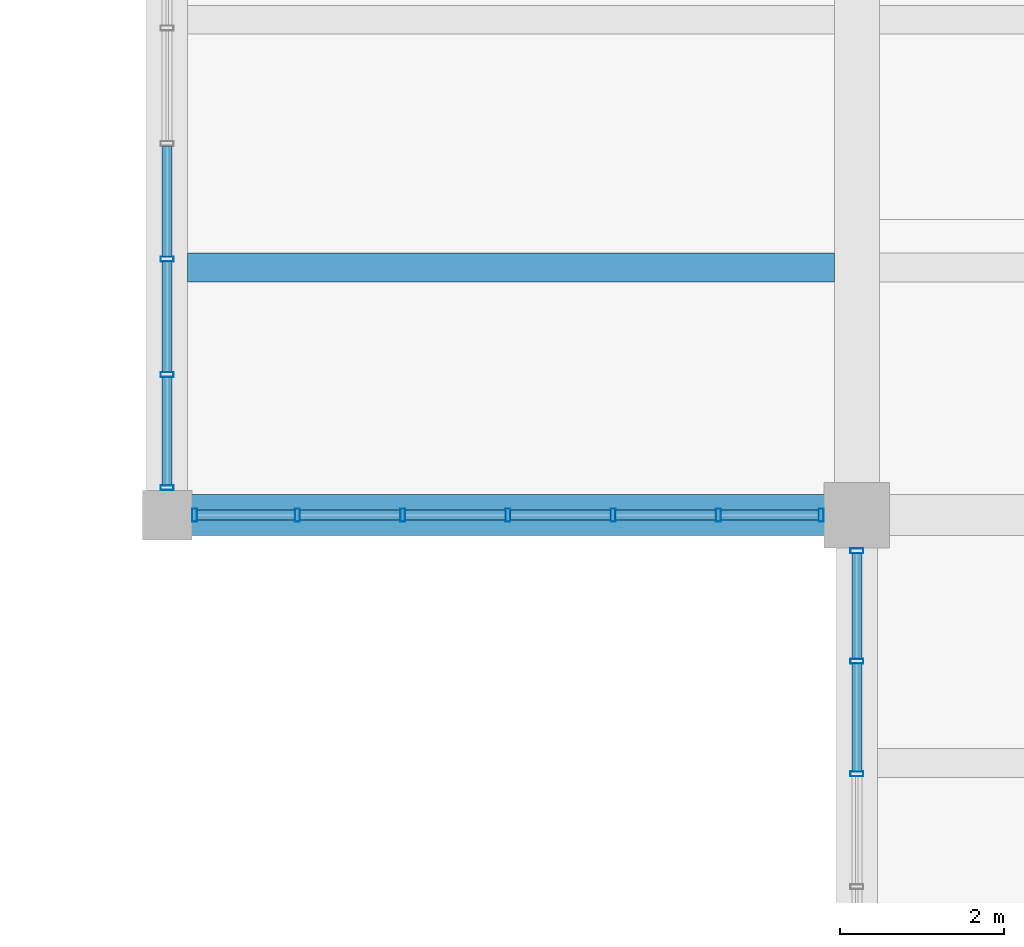
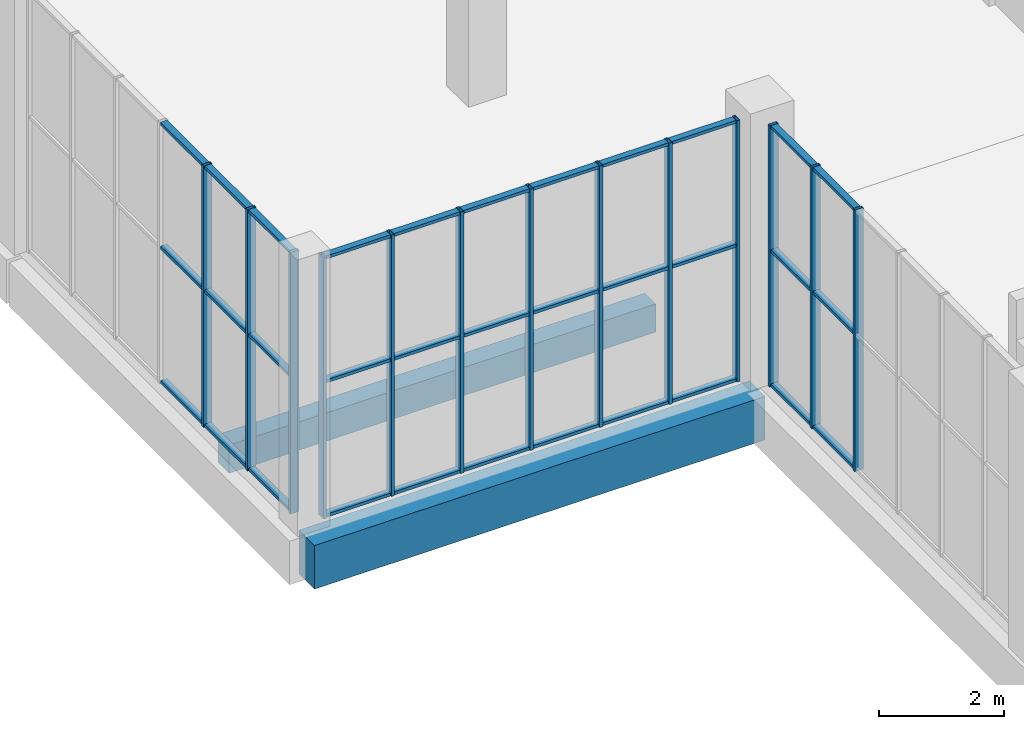
# One storey, part 5 of 132: 46 members, 2 beams, 3 elements without a shape of their own.
"""IFC4 building model written with IfcOpenShell, lengths in metres."""

from ifc_helpers import new_model, si_unit, direction, frame, origin, origin_2d, place, context, subcontext, project, spatial, rectangle, hollow_rectangle, extrude, material, material_profile, profile_set, type_object, element, aggregate, save


model = new_model("IFC4")

# Units and contexts
model_context = context("Model", 3, precision=1e-05, world=origin(), true_north=direction((0.0, 1.0)))
body_context = subcontext(model_context, "Body", "Model", "MODEL_VIEW")
ifc_project = project(units=[si_unit("LENGTHUNIT", "METRE"), si_unit("AREAUNIT", "SQUARE_METRE"), si_unit("VOLUMEUNIT", "CUBIC_METRE"), si_unit("PLANEANGLEUNIT", "RADIAN"), si_unit("MASSUNIT", "GRAM", prefix="KILO")], contexts=[model_context])

# Site, building, storey
site_placement = place(None, origin())
site = spatial("IfcSite", under=ifc_project, at=site_placement, CompositionType="ELEMENT")
building_placement = place(site_placement, origin())
building = spatial("IfcBuilding", under=site, at=building_placement, Name="Khurvash Pelagic Aquarium", CompositionType="ELEMENT")
storey_placement = place(building_placement, frame((0.0, 0.0, 5.39990234375)))
storey = spatial("IfcBuildingStorey", under=building, at=storey_placement, Name="L01", CompositionType="ELEMENT", Elevation=5.39990234375)

# Curtain wall, members
ifc_material_1 = material(Name="Anodised aluminium and low-E laminated glass", Category="aluminium")
curtain_wall_type_1 = type_object("IfcCurtainWallType", Name="CW-06", PredefinedType="USERDEFINED", material=ifc_material_1)
curtain_wall_1_placement = place(storey_placement, origin())
curtain_wall_1 = element("IfcCurtainWall", 1, at=curtain_wall_1_placement, inside=storey, type_object=curtain_wall_type_1, Name="L01 Facade Unitised Curtain Wall CW-06 0100", ObjectType="UNITISED CURTAIN WALL", PredefinedType="USERDEFINED")
ifc_material_2 = material(Name="Extruded aluminium AW-6063-T6", Category="aluminium")
ifc_material_profile_1 = material_profile(ifc_material_2, hollow_rectangle(XDim=0.06005859375, YDim=0.159912109375, WallThickness=0.00390625, at=origin_2d()), Name="CWM60X160X4")
ifc_profile_set_1 = profile_set([ifc_material_profile_1], Name="Extruded aluminium AW-6063-T6")
member_type_1 = type_object("IfcMemberType", Name="CM-02", PredefinedType="MULLION", material=ifc_profile_set_1)
member_1_placement = place(storey_placement, frame((25.199951171875, 29.31494140625, 0.0), z_axis=(0.0, 0.0, 1.0), x_axis=(0.0, -1.0, 0.0)))
member_1 = element("IfcMember", 2, at=member_1_placement, type_object=member_type_1, Name="CW-06 mullion 1", PredefinedType="MULLION", context=body_context, shape_type="SweptSolid", body=[
    extrude(hollow_rectangle(XDim=0.06005859375, YDim=0.159912109375, WallThickness=0.00390625, at=origin_2d()), origin(), (0.0, 0.0, 1.0), 5.10009765625),
])
member_2_placement = place(storey_placement, frame((25.199951171875, 27.9716796875, 0.0), z_axis=(0.0, 0.0, 1.0), x_axis=(0.0, -1.0, 0.0)))
member_2 = element("IfcMember", 3, at=member_2_placement, type_object=member_type_1, Name="CW-06 mullion 2", PredefinedType="MULLION", context=body_context, shape_type="SweptSolid", body=[
    extrude(hollow_rectangle(XDim=0.06005859375, YDim=0.159912109375, WallThickness=0.00390625, at=origin_2d()), origin(), (0.0, 0.0, 1.0), 5.10009765625),
])
member_3_placement = place(storey_placement, frame((25.199951171875, 26.598388671875, 0.0), z_axis=(0.0, 0.0, 1.0), x_axis=(0.0, -1.0, 0.0)))
member_3 = element("IfcMember", 4, at=member_3_placement, type_object=member_type_1, Name="CW-06 mullion 3", PredefinedType="MULLION", context=body_context, shape_type="SweptSolid", body=[
    extrude(hollow_rectangle(XDim=0.06005859375, YDim=0.159912109375, WallThickness=0.00390625, at=origin_2d()), origin(), (0.0, 0.0, 1.0), 5.10009765625),
])

curtain_wall_2_placement = place(storey_placement, origin())
curtain_wall_2 = element("IfcCurtainWall", 5, at=curtain_wall_2_placement, inside=storey, type_object=curtain_wall_type_1, Name="L01 Facade Unitised Curtain Wall CW-06 0129", ObjectType="UNITISED CURTAIN WALL", PredefinedType="USERDEFINED")
member_4_placement = place(storey_placement, frame((16.800048828125, 32.868408203125, 0.0), z_axis=(0.0, 0.0, 1.0), x_axis=(0.0, -1.0, 0.0)))
member_4 = element("IfcMember", 6, at=member_4_placement, type_object=member_type_1, Name="CW-06 mullion 5", PredefinedType="MULLION", context=body_context, shape_type="SweptSolid", body=[
    extrude(hollow_rectangle(XDim=0.06005859375, YDim=0.159912109375, WallThickness=0.00390625, at=origin_2d()), origin(), (0.0, 0.0, 1.0), 5.10009765625),
])
member_5_placement = place(storey_placement, frame((16.800048828125, 31.461669921875, 0.0), z_axis=(0.0, 0.0, 1.0), x_axis=(0.0, -1.0, 0.0)))
member_5 = element("IfcMember", 7, at=member_5_placement, type_object=member_type_1, Name="CW-06 mullion 6", PredefinedType="MULLION", context=body_context, shape_type="SweptSolid", body=[
    extrude(hollow_rectangle(XDim=0.06005859375, YDim=0.159912109375, WallThickness=0.00390625, at=origin_2d()), origin(), (0.0, 0.0, 1.0), 5.10009765625),
])
member_6_placement = place(storey_placement, frame((16.800048828125, 30.0849609375, 0.0), z_axis=(0.0, 0.0, 1.0), x_axis=(0.0, -1.0, 0.0)))
member_6 = element("IfcMember", 8, at=member_6_placement, type_object=member_type_1, Name="CW-06 mullion 7", PredefinedType="MULLION", context=body_context, shape_type="SweptSolid", body=[
    extrude(hollow_rectangle(XDim=0.06005859375, YDim=0.159912109375, WallThickness=0.00390625, at=origin_2d()), origin(), (0.0, 0.0, 1.0), 5.10009765625),
])

curtain_wall_type_2 = type_object("IfcCurtainWallType", Name="CW-05", PredefinedType="USERDEFINED", material=ifc_material_1)
curtain_wall_3_placement = place(storey_placement, origin())
curtain_wall_3 = element("IfcCurtainWall", 9, at=curtain_wall_3_placement, inside=storey, type_object=curtain_wall_type_2, Name="L01 Facade Unitised Curtain Wall CW-05 0130", ObjectType="UNITISED CURTAIN WALL", PredefinedType="USERDEFINED")
member_7_placement = place(storey_placement, frame((17.135009765625, 29.75, 0.0), z_axis=(0.0, 0.0, 1.0), x_axis=(1.0, 0.0, 0.0)))
member_7 = element("IfcMember", 10, at=member_7_placement, type_object=member_type_1, Name="CW-05 mullion 1", PredefinedType="MULLION", context=body_context, shape_type="SweptSolid", body=[
    extrude(hollow_rectangle(XDim=0.06005859375, YDim=0.159912109375, WallThickness=0.00390625, at=origin_2d()), origin(), (0.0, 0.0, 1.0), 5.10009765625),
])
member_8_placement = place(storey_placement, frame((18.38671875, 29.75, 0.0), z_axis=(0.0, 0.0, 1.0), x_axis=(1.0, 0.0, 0.0)))
member_8 = element("IfcMember", 11, at=member_8_placement, type_object=member_type_1, Name="CW-05 mullion 2", PredefinedType="MULLION", context=body_context, shape_type="SweptSolid", body=[
    extrude(hollow_rectangle(XDim=0.06005859375, YDim=0.159912109375, WallThickness=0.00390625, at=origin_2d()), origin(), (0.0, 0.0, 1.0), 5.10009765625),
])
member_9_placement = place(storey_placement, frame((19.668212890625, 29.75, 0.0), z_axis=(0.0, 0.0, 1.0), x_axis=(1.0, 0.0, 0.0)))
member_9 = element("IfcMember", 12, at=member_9_placement, type_object=member_type_1, Name="CW-05 mullion 3", PredefinedType="MULLION", context=body_context, shape_type="SweptSolid", body=[
    extrude(hollow_rectangle(XDim=0.06005859375, YDim=0.159912109375, WallThickness=0.00390625, at=origin_2d()), origin(), (0.0, 0.0, 1.0), 5.10009765625),
])
member_10_placement = place(storey_placement, frame((20.949951171875, 29.75, 0.0), z_axis=(0.0, 0.0, 1.0), x_axis=(1.0, 0.0, 0.0)))
member_10 = element("IfcMember", 13, at=member_10_placement, type_object=member_type_1, Name="CW-05 mullion 4", PredefinedType="MULLION", context=body_context, shape_type="SweptSolid", body=[
    extrude(hollow_rectangle(XDim=0.06005859375, YDim=0.159912109375, WallThickness=0.00390625, at=origin_2d()), origin(), (0.0, 0.0, 1.0), 5.10009765625),
])
member_11_placement = place(storey_placement, frame((22.231689453125, 29.75, 0.0), z_axis=(0.0, 0.0, 1.0), x_axis=(1.0, 0.0, 0.0)))
member_11 = element("IfcMember", 14, at=member_11_placement, type_object=member_type_1, Name="CW-05 mullion 5", PredefinedType="MULLION", context=body_context, shape_type="SweptSolid", body=[
    extrude(hollow_rectangle(XDim=0.06005859375, YDim=0.159912109375, WallThickness=0.00390625, at=origin_2d()), origin(), (0.0, 0.0, 1.0), 5.10009765625),
])
member_12_placement = place(storey_placement, frame((23.513427734375, 29.75, 0.0), z_axis=(0.0, 0.0, 1.0), x_axis=(1.0, 0.0, 0.0)))
member_12 = element("IfcMember", 15, at=member_12_placement, type_object=member_type_1, Name="CW-05 mullion 6", PredefinedType="MULLION", context=body_context, shape_type="SweptSolid", body=[
    extrude(hollow_rectangle(XDim=0.06005859375, YDim=0.159912109375, WallThickness=0.00390625, at=origin_2d()), origin(), (0.0, 0.0, 1.0), 5.10009765625),
])
member_13_placement = place(storey_placement, frame((24.764892578125, 29.75, 0.0), z_axis=(0.0, 0.0, 1.0), x_axis=(1.0, 0.0, 0.0)))
member_13 = element("IfcMember", 16, at=member_13_placement, type_object=member_type_1, Name="CW-05 mullion 7", PredefinedType="MULLION", context=body_context, shape_type="SweptSolid", body=[
    extrude(hollow_rectangle(XDim=0.06005859375, YDim=0.159912109375, WallThickness=0.00390625, at=origin_2d()), origin(), (0.0, 0.0, 1.0), 5.10009765625),
])

# Member
ifc_material_profile_2 = material_profile(ifc_material_2, hollow_rectangle(XDim=0.1201171875, YDim=0.06005859375, WallThickness=0.00390625, at=origin_2d()), Name="CWT120X60X4")
ifc_profile_set_2 = profile_set([ifc_material_profile_2], Name="Extruded aluminium AW-6063-T6")
member_type_2 = type_object("IfcMemberType", Name="CT-02", PredefinedType="USERDEFINED", material=ifc_profile_set_2)
member_14_placement = place(storey_placement, frame((25.199951171875, 29.284912109375, 0.030029296875), z_axis=(0.0, -1.0, 0.0), x_axis=(1.0, 0.0, 0.0)))
member_14 = element("IfcMember", 17, at=member_14_placement, type_object=member_type_2, Name="CW-06 transom 1.1", ObjectType="TRANSOM", PredefinedType="USERDEFINED", context=body_context, shape_type="SweptSolid", body=[
    extrude(hollow_rectangle(XDim=0.1201171875, YDim=0.06005859375, WallThickness=0.00390625, at=origin_2d()), origin(), (0.0, 0.0, 1.0), 1.283203125),
])

member_15_placement = place(storey_placement, frame((25.199951171875, 29.284912109375, 2.652099609375), z_axis=(0.0, -1.0, 0.0), x_axis=(1.0, 0.0, 0.0)))
member_15 = element("IfcMember", 18, at=member_15_placement, type_object=member_type_2, Name="CW-06 transom 1.2", ObjectType="TRANSOM", PredefinedType="USERDEFINED", context=body_context, shape_type="SweptSolid", body=[
    extrude(hollow_rectangle(XDim=0.1201171875, YDim=0.06005859375, WallThickness=0.00390625, at=origin_2d()), origin(), (0.0, 0.0, 1.0), 1.283203125),
])

member_16_placement = place(storey_placement, frame((25.199951171875, 29.284912109375, 5.070068359375), z_axis=(0.0, -1.0, 0.0), x_axis=(1.0, 0.0, 0.0)))
member_16 = element("IfcMember", 19, at=member_16_placement, type_object=member_type_2, Name="CW-06 transom 1.3", ObjectType="TRANSOM", PredefinedType="USERDEFINED", context=body_context, shape_type="SweptSolid", body=[
    extrude(hollow_rectangle(XDim=0.1201171875, YDim=0.06005859375, WallThickness=0.00390625, at=origin_2d()), origin(), (0.0, 0.0, 1.0), 1.283203125),
])

member_17_placement = place(storey_placement, frame((25.199951171875, 27.941650390625, 0.030029296875), z_axis=(0.0, -1.0, 0.0), x_axis=(1.0, 0.0, 0.0)))
member_17 = element("IfcMember", 20, at=member_17_placement, type_object=member_type_2, Name="CW-06 transom 2.1", ObjectType="TRANSOM", PredefinedType="USERDEFINED", context=body_context, shape_type="SweptSolid", body=[
    extrude(hollow_rectangle(XDim=0.1201171875, YDim=0.06005859375, WallThickness=0.00390625, at=origin_2d()), origin(), (0.0, 0.0, 1.0), 1.313232421875),
])

member_18_placement = place(storey_placement, frame((25.199951171875, 27.941650390625, 2.652099609375), z_axis=(0.0, -1.0, 0.0), x_axis=(1.0, 0.0, 0.0)))
member_18 = element("IfcMember", 21, at=member_18_placement, type_object=member_type_2, Name="CW-06 transom 2.2", ObjectType="TRANSOM", PredefinedType="USERDEFINED", context=body_context, shape_type="SweptSolid", body=[
    extrude(hollow_rectangle(XDim=0.1201171875, YDim=0.06005859375, WallThickness=0.00390625, at=origin_2d()), origin(), (0.0, 0.0, 1.0), 1.313232421875),
])

member_19_placement = place(storey_placement, frame((25.199951171875, 27.941650390625, 5.070068359375), z_axis=(0.0, -1.0, 0.0), x_axis=(1.0, 0.0, 0.0)))
member_19 = element("IfcMember", 22, at=member_19_placement, type_object=member_type_2, Name="CW-06 transom 2.3", ObjectType="TRANSOM", PredefinedType="USERDEFINED", context=body_context, shape_type="SweptSolid", body=[
    extrude(hollow_rectangle(XDim=0.1201171875, YDim=0.06005859375, WallThickness=0.00390625, at=origin_2d()), origin(), (0.0, 0.0, 1.0), 1.313232421875),
])

aggregate(curtain_wall_1, [member_1, member_2, member_3, member_14, member_15, member_16, member_17, member_18, member_19])

member_20_placement = place(storey_placement, frame((16.800048828125, 34.2451171875, 0.030029296875), z_axis=(0.0, -1.0, 0.0), x_axis=(1.0, 0.0, 0.0)))
member_20 = element("IfcMember", 23, at=member_20_placement, type_object=member_type_2, Name="CW-06 transom 4.1", ObjectType="TRANSOM", PredefinedType="USERDEFINED", context=body_context, shape_type="SweptSolid", body=[
    extrude(hollow_rectangle(XDim=0.1201171875, YDim=0.06005859375, WallThickness=0.00390625, at=origin_2d()), origin(), (0.0, 0.0, 1.0), 1.3466796875),
])

member_21_placement = place(storey_placement, frame((16.800048828125, 34.2451171875, 2.652099609375), z_axis=(0.0, -1.0, 0.0), x_axis=(1.0, 0.0, 0.0)))
member_21 = element("IfcMember", 24, at=member_21_placement, type_object=member_type_2, Name="CW-06 transom 4.2", ObjectType="TRANSOM", PredefinedType="USERDEFINED", context=body_context, shape_type="SweptSolid", body=[
    extrude(hollow_rectangle(XDim=0.1201171875, YDim=0.06005859375, WallThickness=0.00390625, at=origin_2d()), origin(), (0.0, 0.0, 1.0), 1.3466796875),
])

member_22_placement = place(storey_placement, frame((16.800048828125, 34.2451171875, 5.070068359375), z_axis=(0.0, -1.0, 0.0), x_axis=(1.0, 0.0, 0.0)))
member_22 = element("IfcMember", 25, at=member_22_placement, type_object=member_type_2, Name="CW-06 transom 4.3", ObjectType="TRANSOM", PredefinedType="USERDEFINED", context=body_context, shape_type="SweptSolid", body=[
    extrude(hollow_rectangle(XDim=0.1201171875, YDim=0.06005859375, WallThickness=0.00390625, at=origin_2d()), origin(), (0.0, 0.0, 1.0), 1.3466796875),
])

member_23_placement = place(storey_placement, frame((16.800048828125, 32.83837890625, 0.030029296875), z_axis=(0.0, -1.0, 0.0), x_axis=(1.0, 0.0, 0.0)))
member_23 = element("IfcMember", 26, at=member_23_placement, type_object=member_type_2, Name="CW-06 transom 5.1", ObjectType="TRANSOM", PredefinedType="USERDEFINED", context=body_context, shape_type="SweptSolid", body=[
    extrude(hollow_rectangle(XDim=0.1201171875, YDim=0.06005859375, WallThickness=0.00390625, at=origin_2d()), origin(), (0.0, 0.0, 1.0), 1.3466796875),
])

member_24_placement = place(storey_placement, frame((16.800048828125, 32.83837890625, 2.652099609375), z_axis=(0.0, -1.0, 0.0), x_axis=(1.0, 0.0, 0.0)))
member_24 = element("IfcMember", 27, at=member_24_placement, type_object=member_type_2, Name="CW-06 transom 5.2", ObjectType="TRANSOM", PredefinedType="USERDEFINED", context=body_context, shape_type="SweptSolid", body=[
    extrude(hollow_rectangle(XDim=0.1201171875, YDim=0.06005859375, WallThickness=0.00390625, at=origin_2d()), origin(), (0.0, 0.0, 1.0), 1.3466796875),
])

member_25_placement = place(storey_placement, frame((16.800048828125, 32.83837890625, 5.070068359375), z_axis=(0.0, -1.0, 0.0), x_axis=(1.0, 0.0, 0.0)))
member_25 = element("IfcMember", 28, at=member_25_placement, type_object=member_type_2, Name="CW-06 transom 5.3", ObjectType="TRANSOM", PredefinedType="USERDEFINED", context=body_context, shape_type="SweptSolid", body=[
    extrude(hollow_rectangle(XDim=0.1201171875, YDim=0.06005859375, WallThickness=0.00390625, at=origin_2d()), origin(), (0.0, 0.0, 1.0), 1.3466796875),
])

member_26_placement = place(storey_placement, frame((16.800048828125, 31.431640625, 0.030029296875), z_axis=(0.0, -1.0, 0.0), x_axis=(1.0, 0.0, 0.0)))
member_26 = element("IfcMember", 29, at=member_26_placement, type_object=member_type_2, Name="CW-06 transom 6.1", ObjectType="TRANSOM", PredefinedType="USERDEFINED", context=body_context, shape_type="SweptSolid", body=[
    extrude(hollow_rectangle(XDim=0.1201171875, YDim=0.06005859375, WallThickness=0.00390625, at=origin_2d()), origin(), (0.0, 0.0, 1.0), 1.316650390625),
])

member_27_placement = place(storey_placement, frame((16.800048828125, 31.431640625, 2.652099609375), z_axis=(0.0, -1.0, 0.0), x_axis=(1.0, 0.0, 0.0)))
member_27 = element("IfcMember", 30, at=member_27_placement, type_object=member_type_2, Name="CW-06 transom 6.2", ObjectType="TRANSOM", PredefinedType="USERDEFINED", context=body_context, shape_type="SweptSolid", body=[
    extrude(hollow_rectangle(XDim=0.1201171875, YDim=0.06005859375, WallThickness=0.00390625, at=origin_2d()), origin(), (0.0, 0.0, 1.0), 1.316650390625),
])

member_28_placement = place(storey_placement, frame((16.800048828125, 31.431640625, 5.070068359375), z_axis=(0.0, -1.0, 0.0), x_axis=(1.0, 0.0, 0.0)))
member_28 = element("IfcMember", 31, at=member_28_placement, type_object=member_type_2, Name="CW-06 transom 6.3", ObjectType="TRANSOM", PredefinedType="USERDEFINED", context=body_context, shape_type="SweptSolid", body=[
    extrude(hollow_rectangle(XDim=0.1201171875, YDim=0.06005859375, WallThickness=0.00390625, at=origin_2d()), origin(), (0.0, 0.0, 1.0), 1.316650390625),
])

aggregate(curtain_wall_2, [member_4, member_5, member_6, member_20, member_21, member_22, member_23, member_24, member_25, member_26, member_27, member_28])

member_29_placement = place(storey_placement, frame((17.1650390625, 29.75, 0.030029296875), z_axis=(1.0, 0.0, 0.0), x_axis=(0.0, 1.0, 0.0)))
member_29 = element("IfcMember", 32, at=member_29_placement, type_object=member_type_2, Name="CW-05 transom 1.1", ObjectType="TRANSOM", PredefinedType="USERDEFINED", context=body_context, shape_type="SweptSolid", body=[
    extrude(hollow_rectangle(XDim=0.1201171875, YDim=0.06005859375, WallThickness=0.00390625, at=origin_2d()), origin(), (0.0, 0.0, 1.0), 1.191650390625),
])

member_30_placement = place(storey_placement, frame((17.1650390625, 29.75, 2.652099609375), z_axis=(1.0, 0.0, 0.0), x_axis=(0.0, 1.0, 0.0)))
member_30 = element("IfcMember", 33, at=member_30_placement, type_object=member_type_2, Name="CW-05 transom 1.2", ObjectType="TRANSOM", PredefinedType="USERDEFINED", context=body_context, shape_type="SweptSolid", body=[
    extrude(hollow_rectangle(XDim=0.1201171875, YDim=0.06005859375, WallThickness=0.00390625, at=origin_2d()), origin(), (0.0, 0.0, 1.0), 1.191650390625),
])

member_31_placement = place(storey_placement, frame((17.1650390625, 29.75, 5.070068359375), z_axis=(1.0, 0.0, 0.0), x_axis=(0.0, 1.0, 0.0)))
member_31 = element("IfcMember", 34, at=member_31_placement, type_object=member_type_2, Name="CW-05 transom 1.3", ObjectType="TRANSOM", PredefinedType="USERDEFINED", context=body_context, shape_type="SweptSolid", body=[
    extrude(hollow_rectangle(XDim=0.1201171875, YDim=0.06005859375, WallThickness=0.00390625, at=origin_2d()), origin(), (0.0, 0.0, 1.0), 1.191650390625),
])

member_32_placement = place(storey_placement, frame((18.416748046875, 29.75, 0.030029296875), z_axis=(1.0, 0.0, 0.0), x_axis=(0.0, 1.0, 0.0)))
member_32 = element("IfcMember", 35, at=member_32_placement, type_object=member_type_2, Name="CW-05 transom 2.1", ObjectType="TRANSOM", PredefinedType="USERDEFINED", context=body_context, shape_type="SweptSolid", body=[
    extrude(hollow_rectangle(XDim=0.1201171875, YDim=0.06005859375, WallThickness=0.00390625, at=origin_2d()), origin(), (0.0, 0.0, 1.0), 1.2216796875),
])

member_33_placement = place(storey_placement, frame((18.416748046875, 29.75, 2.652099609375), z_axis=(1.0, 0.0, 0.0), x_axis=(0.0, 1.0, 0.0)))
member_33 = element("IfcMember", 36, at=member_33_placement, type_object=member_type_2, Name="CW-05 transom 2.2", ObjectType="TRANSOM", PredefinedType="USERDEFINED", context=body_context, shape_type="SweptSolid", body=[
    extrude(hollow_rectangle(XDim=0.1201171875, YDim=0.06005859375, WallThickness=0.00390625, at=origin_2d()), origin(), (0.0, 0.0, 1.0), 1.2216796875),
])

member_34_placement = place(storey_placement, frame((18.416748046875, 29.75, 5.070068359375), z_axis=(1.0, 0.0, 0.0), x_axis=(0.0, 1.0, 0.0)))
member_34 = element("IfcMember", 37, at=member_34_placement, type_object=member_type_2, Name="CW-05 transom 2.3", ObjectType="TRANSOM", PredefinedType="USERDEFINED", context=body_context, shape_type="SweptSolid", body=[
    extrude(hollow_rectangle(XDim=0.1201171875, YDim=0.06005859375, WallThickness=0.00390625, at=origin_2d()), origin(), (0.0, 0.0, 1.0), 1.2216796875),
])

member_35_placement = place(storey_placement, frame((19.6982421875, 29.75, 0.030029296875), z_axis=(1.0, 0.0, 0.0), x_axis=(0.0, 1.0, 0.0)))
member_35 = element("IfcMember", 38, at=member_35_placement, type_object=member_type_2, Name="CW-05 transom 3.1", ObjectType="TRANSOM", PredefinedType="USERDEFINED", context=body_context, shape_type="SweptSolid", body=[
    extrude(hollow_rectangle(XDim=0.1201171875, YDim=0.06005859375, WallThickness=0.00390625, at=origin_2d()), origin(), (0.0, 0.0, 1.0), 1.2216796875),
])

member_36_placement = place(storey_placement, frame((19.6982421875, 29.75, 2.652099609375), z_axis=(1.0, 0.0, 0.0), x_axis=(0.0, 1.0, 0.0)))
member_36 = element("IfcMember", 39, at=member_36_placement, type_object=member_type_2, Name="CW-05 transom 3.2", ObjectType="TRANSOM", PredefinedType="USERDEFINED", context=body_context, shape_type="SweptSolid", body=[
    extrude(hollow_rectangle(XDim=0.1201171875, YDim=0.06005859375, WallThickness=0.00390625, at=origin_2d()), origin(), (0.0, 0.0, 1.0), 1.2216796875),
])

member_37_placement = place(storey_placement, frame((19.6982421875, 29.75, 5.070068359375), z_axis=(1.0, 0.0, 0.0), x_axis=(0.0, 1.0, 0.0)))
member_37 = element("IfcMember", 40, at=member_37_placement, type_object=member_type_2, Name="CW-05 transom 3.3", ObjectType="TRANSOM", PredefinedType="USERDEFINED", context=body_context, shape_type="SweptSolid", body=[
    extrude(hollow_rectangle(XDim=0.1201171875, YDim=0.06005859375, WallThickness=0.00390625, at=origin_2d()), origin(), (0.0, 0.0, 1.0), 1.2216796875),
])

member_38_placement = place(storey_placement, frame((20.97998046875, 29.75, 0.030029296875), z_axis=(1.0, 0.0, 0.0), x_axis=(0.0, 1.0, 0.0)))
member_38 = element("IfcMember", 41, at=member_38_placement, type_object=member_type_2, Name="CW-05 transom 4.1", ObjectType="TRANSOM", PredefinedType="USERDEFINED", context=body_context, shape_type="SweptSolid", body=[
    extrude(hollow_rectangle(XDim=0.1201171875, YDim=0.06005859375, WallThickness=0.00390625, at=origin_2d()), origin(), (0.0, 0.0, 1.0), 1.2216796875),
])

member_39_placement = place(storey_placement, frame((20.97998046875, 29.75, 2.652099609375), z_axis=(1.0, 0.0, 0.0), x_axis=(0.0, 1.0, 0.0)))
member_39 = element("IfcMember", 42, at=member_39_placement, type_object=member_type_2, Name="CW-05 transom 4.2", ObjectType="TRANSOM", PredefinedType="USERDEFINED", context=body_context, shape_type="SweptSolid", body=[
    extrude(hollow_rectangle(XDim=0.1201171875, YDim=0.06005859375, WallThickness=0.00390625, at=origin_2d()), origin(), (0.0, 0.0, 1.0), 1.2216796875),
])

member_40_placement = place(storey_placement, frame((20.97998046875, 29.75, 5.070068359375), z_axis=(1.0, 0.0, 0.0), x_axis=(0.0, 1.0, 0.0)))
member_40 = element("IfcMember", 43, at=member_40_placement, type_object=member_type_2, Name="CW-05 transom 4.3", ObjectType="TRANSOM", PredefinedType="USERDEFINED", context=body_context, shape_type="SweptSolid", body=[
    extrude(hollow_rectangle(XDim=0.1201171875, YDim=0.06005859375, WallThickness=0.00390625, at=origin_2d()), origin(), (0.0, 0.0, 1.0), 1.2216796875),
])

member_41_placement = place(storey_placement, frame((22.26171875, 29.75, 0.030029296875), z_axis=(1.0, 0.0, 0.0), x_axis=(0.0, 1.0, 0.0)))
member_41 = element("IfcMember", 44, at=member_41_placement, type_object=member_type_2, Name="CW-05 transom 5.1", ObjectType="TRANSOM", PredefinedType="USERDEFINED", context=body_context, shape_type="SweptSolid", body=[
    extrude(hollow_rectangle(XDim=0.1201171875, YDim=0.06005859375, WallThickness=0.00390625, at=origin_2d()), origin(), (0.0, 0.0, 1.0), 1.2216796875),
])

member_42_placement = place(storey_placement, frame((22.26171875, 29.75, 2.652099609375), z_axis=(1.0, 0.0, 0.0), x_axis=(0.0, 1.0, 0.0)))
member_42 = element("IfcMember", 45, at=member_42_placement, type_object=member_type_2, Name="CW-05 transom 5.2", ObjectType="TRANSOM", PredefinedType="USERDEFINED", context=body_context, shape_type="SweptSolid", body=[
    extrude(hollow_rectangle(XDim=0.1201171875, YDim=0.06005859375, WallThickness=0.00390625, at=origin_2d()), origin(), (0.0, 0.0, 1.0), 1.2216796875),
])

member_43_placement = place(storey_placement, frame((22.26171875, 29.75, 5.070068359375), z_axis=(1.0, 0.0, 0.0), x_axis=(0.0, 1.0, 0.0)))
member_43 = element("IfcMember", 46, at=member_43_placement, type_object=member_type_2, Name="CW-05 transom 5.3", ObjectType="TRANSOM", PredefinedType="USERDEFINED", context=body_context, shape_type="SweptSolid", body=[
    extrude(hollow_rectangle(XDim=0.1201171875, YDim=0.06005859375, WallThickness=0.00390625, at=origin_2d()), origin(), (0.0, 0.0, 1.0), 1.2216796875),
])

member_44_placement = place(storey_placement, frame((23.543212890625, 29.75, 0.030029296875), z_axis=(1.0, 0.0, 0.0), x_axis=(0.0, 1.0, 0.0)))
member_44 = element("IfcMember", 47, at=member_44_placement, type_object=member_type_2, Name="CW-05 transom 6.1", ObjectType="TRANSOM", PredefinedType="USERDEFINED", context=body_context, shape_type="SweptSolid", body=[
    extrude(hollow_rectangle(XDim=0.1201171875, YDim=0.06005859375, WallThickness=0.00390625, at=origin_2d()), origin(), (0.0, 0.0, 1.0), 1.19189453125),
])

member_45_placement = place(storey_placement, frame((23.543212890625, 29.75, 2.652099609375), z_axis=(1.0, 0.0, 0.0), x_axis=(0.0, 1.0, 0.0)))
member_45 = element("IfcMember", 48, at=member_45_placement, type_object=member_type_2, Name="CW-05 transom 6.2", ObjectType="TRANSOM", PredefinedType="USERDEFINED", context=body_context, shape_type="SweptSolid", body=[
    extrude(hollow_rectangle(XDim=0.1201171875, YDim=0.06005859375, WallThickness=0.00390625, at=origin_2d()), origin(), (0.0, 0.0, 1.0), 1.19189453125),
])

member_46_placement = place(storey_placement, frame((23.543212890625, 29.75, 5.070068359375), z_axis=(1.0, 0.0, 0.0), x_axis=(0.0, 1.0, 0.0)))
member_46 = element("IfcMember", 49, at=member_46_placement, type_object=member_type_2, Name="CW-05 transom 6.3", ObjectType="TRANSOM", PredefinedType="USERDEFINED", context=body_context, shape_type="SweptSolid", body=[
    extrude(hollow_rectangle(XDim=0.1201171875, YDim=0.06005859375, WallThickness=0.00390625, at=origin_2d()), origin(), (0.0, 0.0, 1.0), 1.19189453125),
])

aggregate(curtain_wall_3, [member_7, member_8, member_9, member_10, member_11, member_12, member_13, member_29, member_30, member_31, member_32, member_33, member_34, member_35, member_36, member_37, member_38, member_39, member_40, member_41, member_42, member_43, member_44, member_45, member_46])

# Beams
ifc_material_3 = material(Name="Concrete C35/45", Category="concrete")
ifc_material_profile_3 = material_profile(ifc_material_3, rectangle(XDim=0.35009765625, YDim=0.550048828125, at=origin_2d()), Name="RC350X550")
ifc_profile_set_3 = profile_set([ifc_material_profile_3], Name="Concrete C35/45")
beam_type_1 = type_object("IfcBeamType", Name="JS-01", PredefinedType="JOIST", material=ifc_profile_set_3)
beam_1_placement = place(storey_placement, frame((17.050048828125, 32.76708984375, -0.5849609375), z_axis=(1.0, 0.0, 0.0), x_axis=(0.0, 1.0, 0.0)))
element("IfcBeam", 50, at=beam_1_placement, inside=storey, type_object=beam_type_1, Name="L01 Floor Joist JS-01 00446", PredefinedType="JOIST", context=body_context, shape_type="SweptSolid", body=[
    extrude(rectangle(XDim=0.35009765625, YDim=0.550048828125, at=origin_2d()), origin(), (0.0, 0.0, 1.0), 7.875),
])
ifc_material_4 = material(Name="Concrete C40/50", Category="concrete")
ifc_material_profile_4 = material_profile(ifc_material_4, rectangle(XDim=0.5, YDim=0.85009765625, at=origin_2d()), Name="RC500X850")
ifc_profile_set_4 = profile_set([ifc_material_profile_4], Name="Concrete C40/50")
beam_type_2 = type_object("IfcBeamType", Name="SEB-03", PredefinedType="SPANDREL", material=ifc_profile_set_4)
beam_2_placement = place(storey_placement, frame((16.840087890625, 29.75, -0.744873046875), z_axis=(1.0, 0.0, 0.0), x_axis=(0.0, 1.0, 0.0)))
element("IfcBeam", 51, at=beam_2_placement, inside=storey, type_object=beam_type_2, Name="L01 Primary Girder SEB-03 00276", PredefinedType="SPANDREL", context=body_context, shape_type="SweptSolid", body=[
    extrude(rectangle(XDim=0.5, YDim=0.85009765625, at=origin_2d()), origin(), (0.0, 0.0, 1.0), 8.31982421875),
])

save(model, "model.ifc")
